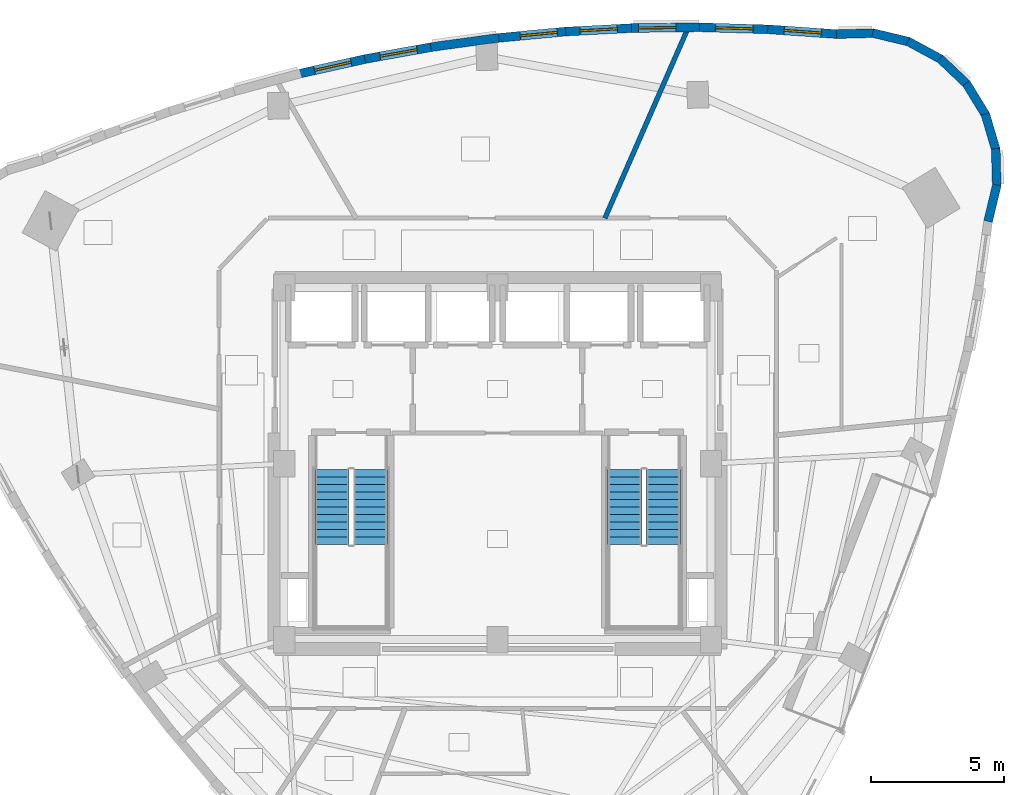
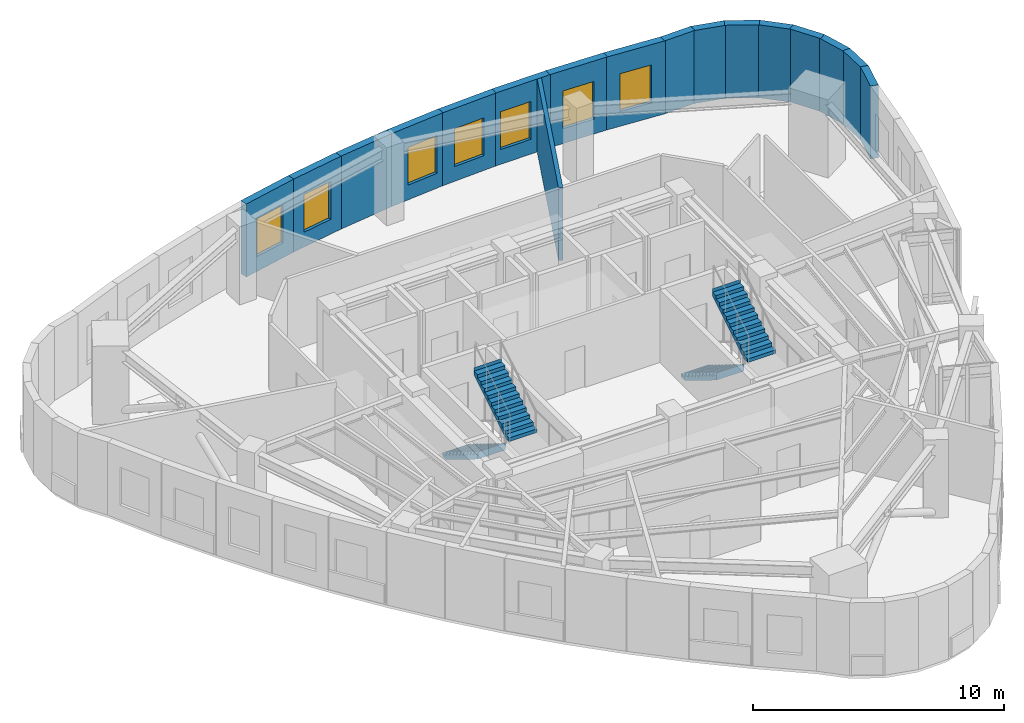
# One storey, part 7 of 10: 17 walls, 7 windows, 4 stair flights, 7 openings, 2 elements without a shape of their own.
"""IFC4 building model written with IfcOpenShell, lengths in metres."""

from ifc_helpers import new_model, si_unit, direction, frame, frame_2d, origin, place, context, subcontext, project, spatial, polyline, rectangle, outline, extrude, material, layer, layer_set, type_object, element, fill, aggregate, save


model = new_model("IFC4")

# Units and contexts
model_context = context("Model", 3, precision=1e-05, world=origin(), true_north=direction((0.0, 1.0)))
body_context = subcontext(model_context, "Body", "Model", "MODEL_VIEW")
ifc_project = project(units=[si_unit("LENGTHUNIT", "METRE"), si_unit("AREAUNIT", "SQUARE_METRE"), si_unit("VOLUMEUNIT", "CUBIC_METRE"), si_unit("PLANEANGLEUNIT", "RADIAN"), si_unit("MASSUNIT", "GRAM", prefix="KILO")], contexts=[model_context])

# Site, building, storey
site_placement = place(None, origin())
site = spatial("IfcSite", under=ifc_project, at=site_placement, CompositionType="ELEMENT")
building_placement = place(site_placement, origin())
building = spatial("IfcBuilding", under=site, at=building_placement, Name="Ndelora Gate Hotel", CompositionType="ELEMENT")
storey_placement = place(building_placement, frame((0.0, 0.0, 243.550048828125)))
storey = spatial("IfcBuildingStorey", under=building, at=storey_placement, Name="L61", CompositionType="ELEMENT", Elevation=243.550048828125)

# Walls
ifc_material_1 = material(Name="Acoustic Double-Stud Gypsum Assembly", Category="gypsum")
ifc_layer_1 = layer(ifc_material_1, 0.179931640625)
ifc_layer_set_1 = layer_set([ifc_layer_1], Name="Acoustic Double-Stud Gypsum Assembly")
wall_type_1 = type_object("IfcWallType", Name="WL-ACOUST-180", PredefinedType="PARTITIONING", material=ifc_layer_set_1)
wall_1_placement = place(storey_placement, frame((4.0234375, 9.199951171875, 0.0), z_axis=(0.0, 0.0, 1.0), x_axis=(0.400689260614, 0.916214012351, 0.0)))
element("IfcWall", 1, at=wall_1_placement, inside=storey, type_object=wall_type_1, Name="L61 Interior Wall IW-3", PredefinedType="PARTITIONING", context=body_context, shape_type="SweptSolid", body=[
    extrude(rectangle(XDim=7.808837890625, YDim=0.179931640625, at=frame_2d((3.904296875, 0.0))), origin(), (0.0, 0.0, 1.0), 3.550048828125),
])
ifc_material_2 = material(Name="Clay Brick Masonry", Category="masonry")
ifc_layer_2 = layer(ifc_material_2, 0.330078125)
ifc_layer_set_2 = layer_set([ifc_layer_2], Name="Clay Brick Masonry")
wall_type_2 = type_object("IfcWallType", Name="WL-BRICK-330", PredefinedType="SOLIDWALL", material=ifc_layer_set_2)
for number, where, z_axis, x_axis, name in (
    (2, (18.7216796875, 10.44873046875, 0.0), (0.0, 0.0, 1.0), (-0.233464793771, -0.972365255482, 0.0), "L61 Tower Brick Pier-and-Spandrel Wall TWR-39"),
    (3, (18.6796875, 11.806396484375, 0.0), (0.0, 0.0, 1.0), (0.02619264168, -0.999656913907, 0.0), "L61 Tower Brick Pier-and-Spandrel Wall TWR-40"),
):
    element("IfcWall", number, at=place(storey_placement, frame(where, z_axis=z_axis, x_axis=x_axis)), inside=storey, type_object=wall_type_2, Name=name, PredefinedType="SOLIDWALL", context=body_context, shape_type="SweptSolid", body=[
        extrude(rectangle(XDim=1.407470703125, YDim=0.330078125, at=frame_2d((0.70361328125, 0.0))), origin(), (0.0, 0.0, 1.0), 3.550048828125),
    ])
wall_2_placement = place(storey_placement, frame((18.28759765625, 13.10693359375, 0.0), z_axis=(0.0, 0.0, 1.0), x_axis=(0.284100140437, -0.958794613149, 0.0)))
element("IfcWall", 4, at=wall_2_placement, inside=storey, type_object=wall_type_2, Name="L61 Tower Brick Pier-and-Spandrel Wall TWR-41", PredefinedType="SOLIDWALL", context=body_context, shape_type="SweptSolid", body=[
    extrude(rectangle(XDim=1.40771484375, YDim=0.330078125, at=frame_2d((0.703857421875, 0.0))), origin(), (0.0, 0.0, 1.0), 3.550048828125),
])
wall_3_placement = place(storey_placement, frame((17.572509765625, 14.26171875, 0.0), z_axis=(0.0, 0.0, 1.0), x_axis=(0.522509174355, -0.852633662668, 0.0)))
element("IfcWall", 5, at=wall_3_placement, inside=storey, type_object=wall_type_2, Name="L61 Tower Brick Pier-and-Spandrel Wall TWR-42", PredefinedType="SOLIDWALL", context=body_context, shape_type="SweptSolid", body=[
    extrude(rectangle(XDim=1.4072265625, YDim=0.330078125, at=frame_2d((0.70361328125, 0.0))), origin(), (0.0, 0.0, 1.0), 3.550048828125),
])
for number, where, z_axis, x_axis, name in (
    (6, (16.582763671875, 15.192138671875, 0.0), (0.0, 0.0, 1.0), (0.725254907563, -0.688480442028, 0.0), "L61 Tower Brick Pier-and-Spandrel Wall TWR-43"),
    (7, (15.3857421875, 15.83447265625, 0.0), (0.0, 0.0, 1.0), (0.8789012206, -0.47700382014, 0.0), "L61 Tower Brick Pier-and-Spandrel Wall TWR-44"),
):
    element("IfcWall", number, at=place(storey_placement, frame(where, z_axis=z_axis, x_axis=x_axis)), inside=storey, type_object=wall_type_2, Name=name, PredefinedType="SOLIDWALL", context=body_context, shape_type="SweptSolid", body=[
        extrude(rectangle(XDim=1.407470703125, YDim=0.330078125, at=frame_2d((0.70361328125, 0.0))), origin(), (0.0, 0.0, 1.0), 3.550048828125),
    ])
wall_4_placement = place(storey_placement, frame((14.063720703125, 16.145263671875, 0.0), z_axis=(0.0, 0.0, 1.0), x_axis=(0.972395175274, -0.233340144647, 0.0)))
element("IfcWall", 8, at=wall_4_placement, inside=storey, type_object=wall_type_2, Name="L61 Tower Brick Pier-and-Spandrel Wall TWR-45", PredefinedType="SOLIDWALL", context=body_context, shape_type="SweptSolid", body=[
    extrude(rectangle(XDim=1.4072265625, YDim=0.330078125, at=frame_2d((0.70361328125, 0.0))), origin(), (0.0, 0.0, 1.0), 3.550048828125),
])
wall_5_placement = place(storey_placement, frame((12.705810546875, 16.103271484375, 0.0), z_axis=(0.0, 0.0, 1.0), x_axis=(0.999656913907, 0.02619264168, 0.0)))
element("IfcWall", 9, at=wall_5_placement, inside=storey, type_object=wall_type_2, Name="L61 Tower Brick Pier-and-Spandrel Wall TWR-46", PredefinedType="SOLIDWALL", context=body_context, shape_type="SweptSolid", body=[
    extrude(rectangle(XDim=1.407470703125, YDim=0.330078125, at=frame_2d((0.70361328125, 0.0))), origin(), (0.0, 0.0, 1.0), 3.550048828125),
])

# Wall, opening, window
wall_6_placement = place(storey_placement, frame((10.130615234375, 16.285400390625, 0.0), z_axis=(0.0, 0.0, 1.0), x_axis=(0.997576448788, -0.069578939514, 0.0)))
wall_6 = element("IfcWall", 10, at=wall_6_placement, inside=storey, type_object=wall_type_2, Name="L61 Tower Brick Pier-and-Spandrel Wall TWR-47", PredefinedType="SOLIDWALL", context=body_context, shape_type="SweptSolid", body=[
    extrude(rectangle(XDim=2.631591796875, YDim=0.330078125, at=frame_2d((1.31591796875, 0.0))), origin(), (0.0, 0.0, 1.0), 3.550048828125),
])
opening_1_placement = place(wall_6_placement, frame((0.61572265625, 0.0, 0.719970703125)))
opening_1 = element("IfcOpeningElement", 11, at=opening_1_placement, cuts=wall_6, Name="Opening W02", PredefinedType="OPENING", context=body_context, shape_type="SweptSolid", body=[
    extrude(rectangle(XDim=1.39990234375, YDim=1.840087890625, at=frame_2d((0.699951171875, 0.919921875))), frame((0.0, 0.175048828125, 0.0), z_axis=(0.0, -1.0, 0.0), x_axis=(1.0, 0.0, 0.0)), (0.0, 0.0, 1.0), 0.35009765625),
])
ifc_material_3 = material(Name="Insulated Low-E Double Glazing in Bronze Aluminium Frame", Category="aluminium")
window_type = type_object("IfcWindowType", Name="WN-DEEP-1400", PartitioningType="SINGLE_PANEL", PredefinedType="WINDOW", material=ifc_material_3)
window_1_placement = place(opening_1_placement, origin())
window_1 = element("IfcWindow", 12, at=window_1_placement, inside=storey, type_object=window_type, Name="L61 Deep-Set Brick-Pier Window W02", OverallHeight=1.840087890625, OverallWidth=1.39990234375, PartitioningType="SINGLE_PANEL", PredefinedType="WINDOW", context=body_context, shape_type="SweptSolid", body=[
    extrude(rectangle(XDim=1.39990234375, YDim=1.840087890625, at=frame_2d((0.699951171875, 0.919921875))), frame((0.0, 0.030029296875, 0.0), z_axis=(0.0, -1.0, 0.0), x_axis=(1.0, 0.0, 0.0)), (0.0, 0.0, 1.0), 0.06005859375),
])
fill(opening_1, window_1)

wall_7_placement = place(storey_placement, frame((7.571533203125, 16.360107421875, 0.0), z_axis=(0.0, 0.0, 1.0), x_axis=(0.999565811964, -0.029465022531, 0.0)))
wall_7 = element("IfcWall", 13, at=wall_7_placement, inside=storey, type_object=wall_type_2, Name="L61 Tower Brick Pier-and-Spandrel Wall TWR-48", PredefinedType="SOLIDWALL", context=body_context, shape_type="SweptSolid", body=[
    extrude(rectangle(XDim=2.610107421875, YDim=0.330078125, at=frame_2d((1.30517578125, 0.0))), origin(), (0.0, 0.0, 1.0), 3.550048828125),
])
opening_2_placement = place(wall_7_placement, frame((0.60498046875, 0.0, 0.719970703125)))
opening_2 = element("IfcOpeningElement", 14, at=opening_2_placement, cuts=wall_7, Name="Opening W02", PredefinedType="OPENING", context=body_context, shape_type="SweptSolid", body=[
    extrude(rectangle(XDim=1.39990234375, YDim=1.840087890625, at=frame_2d((0.699951171875, 0.919921875))), frame((0.0, 0.175048828125, 0.0), z_axis=(0.0, -1.0, 0.0), x_axis=(1.0, 0.0, 0.0)), (0.0, 0.0, 1.0), 0.35009765625),
])
window_2_placement = place(opening_2_placement, origin())
window_2 = element("IfcWindow", 15, at=window_2_placement, inside=storey, type_object=window_type, Name="L61 Deep-Set Brick-Pier Window W02", OverallHeight=1.840087890625, OverallWidth=1.39990234375, PartitioningType="SINGLE_PANEL", PredefinedType="WINDOW", context=body_context, shape_type="SweptSolid", body=[
    extrude(rectangle(XDim=1.39990234375, YDim=1.840087890625, at=frame_2d((0.699951171875, 0.919921875))), frame((0.0, 0.030029296875, 0.0), z_axis=(0.0, -1.0, 0.0), x_axis=(1.0, 0.0, 0.0)), (0.0, 0.0, 1.0), 0.06005859375),
])
fill(opening_2, window_2)

wall_8_placement = place(storey_placement, frame((5.029296875, 16.33056640625, 0.0), z_axis=(0.0, 0.0, 1.0), x_axis=(0.99993614345, 0.011300841704, 0.0)))
wall_8 = element("IfcWall", 16, at=wall_8_placement, inside=storey, type_object=wall_type_2, Name="L61 Tower Brick Pier-and-Spandrel Wall TWR-49", PredefinedType="SOLIDWALL", context=body_context, shape_type="SweptSolid", body=[
    extrude(rectangle(XDim=2.592529296875, YDim=0.330078125, at=frame_2d((1.29638671875, 0.0))), origin(), (0.0, 0.0, 1.0), 3.550048828125),
])
opening_3_placement = place(wall_8_placement, frame((0.260009765625, 0.0, 0.719970703125)))
opening_3 = element("IfcOpeningElement", 17, at=opening_3_placement, cuts=wall_8, Name="Opening W02", PredefinedType="OPENING", context=body_context, shape_type="SweptSolid", body=[
    extrude(rectangle(XDim=1.39990234375, YDim=1.840087890625, at=frame_2d((0.699951171875, 0.919921875))), frame((0.0, 0.175048828125, 0.0), z_axis=(0.0, -1.0, 0.0), x_axis=(1.0, 0.0, 0.0)), (0.0, 0.0, 1.0), 0.35009765625),
])
window_3_placement = place(opening_3_placement, origin())
window_3 = element("IfcWindow", 18, at=window_3_placement, inside=storey, type_object=window_type, Name="L61 Deep-Set Brick-Pier Window W02", OverallHeight=1.840087890625, OverallWidth=1.39990234375, PartitioningType="SINGLE_PANEL", PredefinedType="WINDOW", context=body_context, shape_type="SweptSolid", body=[
    extrude(rectangle(XDim=1.39990234375, YDim=1.840087890625, at=frame_2d((0.699951171875, 0.919921875))), frame((0.0, 0.030029296875, 0.0), z_axis=(0.0, -1.0, 0.0), x_axis=(1.0, 0.0, 0.0)), (0.0, 0.0, 1.0), 0.06005859375),
])
fill(opening_3, window_3)

wall_9_placement = place(storey_placement, frame((2.50341796875, 16.19677734375, 0.0), z_axis=(0.0, 0.0, 1.0), x_axis=(0.998619136425, 0.052533992485, 0.0)))
wall_9 = element("IfcWall", 19, at=wall_9_placement, inside=storey, type_object=wall_type_2, Name="L61 Tower Brick Pier-and-Spandrel Wall TWR-50", PredefinedType="SOLIDWALL", context=body_context, shape_type="SweptSolid", body=[
    extrude(rectangle(XDim=2.579345703125, YDim=0.330078125, at=frame_2d((1.28955078125, 0.0))), origin(), (0.0, 0.0, 1.0), 3.550048828125),
])
opening_4_placement = place(wall_9_placement, frame((0.589599609375, 0.0, 0.719970703125)))
opening_4 = element("IfcOpeningElement", 20, at=opening_4_placement, cuts=wall_9, Name="Opening W02", PredefinedType="OPENING", context=body_context, shape_type="SweptSolid", body=[
    extrude(rectangle(XDim=1.39990234375, YDim=1.840087890625, at=frame_2d((0.699951171875, 0.919921875))), frame((0.0, 0.175048828125, 0.0), z_axis=(0.0, -1.0, 0.0), x_axis=(1.0, 0.0, 0.0)), (0.0, 0.0, 1.0), 0.35009765625),
])
window_4_placement = place(opening_4_placement, origin())
window_4 = element("IfcWindow", 21, at=window_4_placement, inside=storey, type_object=window_type, Name="L61 Deep-Set Brick-Pier Window W02", OverallHeight=1.840087890625, OverallWidth=1.39990234375, PartitioningType="SINGLE_PANEL", PredefinedType="WINDOW", context=body_context, shape_type="SweptSolid", body=[
    extrude(rectangle(XDim=1.39990234375, YDim=1.840087890625, at=frame_2d((0.699951171875, 0.919921875))), frame((0.0, 0.030029296875, 0.0), z_axis=(0.0, -1.0, 0.0), x_axis=(1.0, 0.0, 0.0)), (0.0, 0.0, 1.0), 0.06005859375),
])
fill(opening_4, window_4)

wall_10_placement = place(storey_placement, frame((-0.005859375, 15.95849609375, 0.0), z_axis=(0.0, 0.0, 1.0), x_axis=(0.995560547184, 0.094123306836, 0.0)))
wall_10 = element("IfcWall", 22, at=wall_10_placement, inside=storey, type_object=wall_type_2, Name="L61 Tower Brick Pier-and-Spandrel Wall TWR-51", PredefinedType="SOLIDWALL", context=body_context, shape_type="SweptSolid", body=[
    extrude(rectangle(XDim=2.570556640625, YDim=0.330078125, at=frame_2d((1.28515625, 0.0))), origin(), (0.0, 0.0, 1.0), 3.550048828125),
])
opening_5_placement = place(wall_10_placement, frame((0.860107421875, 0.0, 0.719970703125)))
opening_5 = element("IfcOpeningElement", 23, at=opening_5_placement, cuts=wall_10, Name="Opening W02", PredefinedType="OPENING", context=body_context, shape_type="SweptSolid", body=[
    extrude(rectangle(XDim=1.39990234375, YDim=1.840087890625, at=frame_2d((0.699951171875, 0.919921875))), frame((0.0, 0.175048828125, 0.0), z_axis=(0.0, -1.0, 0.0), x_axis=(1.0, 0.0, 0.0)), (0.0, 0.0, 1.0), 0.35009765625),
])
window_5_placement = place(opening_5_placement, origin())
window_5 = element("IfcWindow", 24, at=window_5_placement, inside=storey, type_object=window_type, Name="L61 Deep-Set Brick-Pier Window W02", OverallHeight=1.840087890625, OverallWidth=1.39990234375, PartitioningType="SINGLE_PANEL", PredefinedType="WINDOW", context=body_context, shape_type="SweptSolid", body=[
    extrude(rectangle(XDim=1.39990234375, YDim=1.840087890625, at=frame_2d((0.699951171875, 0.919921875))), frame((0.0, 0.030029296875, 0.0), z_axis=(0.0, -1.0, 0.0), x_axis=(1.0, 0.0, 0.0)), (0.0, 0.0, 1.0), 0.06005859375),
])
fill(opening_5, window_5)

# Wall
wall_11_placement = place(storey_placement, frame((-2.498779296875, 15.615966796875, 0.0), z_axis=(0.0, 0.0, 1.0), x_axis=(0.990754753975, 0.135665093064, 0.0)))
element("IfcWall", 25, at=wall_11_placement, inside=storey, type_object=wall_type_2, Name="L61 Tower Brick Pier-and-Spandrel Wall TWR-52", PredefinedType="SOLIDWALL", context=body_context, shape_type="SweptSolid", body=[
    extrude(rectangle(XDim=2.566162109375, YDim=0.330078125, at=frame_2d((1.283203125, 0.0))), origin(), (0.0, 0.0, 1.0), 3.550048828125),
])

# Wall, opening, window
wall_12_placement = place(storey_placement, frame((-4.974853515625, 15.16943359375, 0.0), z_axis=(0.0, 0.0, 1.0), x_axis=(0.984201564883, 0.17705162999, 0.0)))
wall_12 = element("IfcWall", 26, at=wall_12_placement, inside=storey, type_object=wall_type_2, Name="L61 Tower Brick Pier-and-Spandrel Wall TWR-53", PredefinedType="SOLIDWALL", context=body_context, shape_type="SweptSolid", body=[
    extrude(rectangle(XDim=2.566162109375, YDim=0.330078125, at=frame_2d((1.283203125, 0.0))), origin(), (0.0, 0.0, 1.0), 3.550048828125),
])
opening_6_placement = place(wall_12_placement, frame((0.5830078125, 0.0, 0.719970703125)))
opening_6 = element("IfcOpeningElement", 27, at=opening_6_placement, cuts=wall_12, Name="Opening W02", PredefinedType="OPENING", context=body_context, shape_type="SweptSolid", body=[
    extrude(rectangle(XDim=1.39990234375, YDim=1.840087890625, at=frame_2d((0.699951171875, 0.919921875))), frame((0.0, 0.175048828125, 0.0), z_axis=(0.0, -1.0, 0.0), x_axis=(1.0, 0.0, 0.0)), (0.0, 0.0, 1.0), 0.35009765625),
])
window_6_placement = place(opening_6_placement, origin())
window_6 = element("IfcWindow", 28, at=window_6_placement, inside=storey, type_object=window_type, Name="L61 Deep-Set Brick-Pier Window W02", OverallHeight=1.840087890625, OverallWidth=1.39990234375, PartitioningType="SINGLE_PANEL", PredefinedType="WINDOW", context=body_context, shape_type="SweptSolid", body=[
    extrude(rectangle(XDim=1.39990234375, YDim=1.840087890625, at=frame_2d((0.699951171875, 0.919921875))), frame((0.0, 0.030029296875, 0.0), z_axis=(0.0, -1.0, 0.0), x_axis=(1.0, 0.0, 0.0)), (0.0, 0.0, 1.0), 0.06005859375),
])
fill(opening_6, window_6)

wall_13_placement = place(storey_placement, frame((-7.434326171875, 14.618408203125, 0.0), z_axis=(0.0, 0.0, 1.0), x_axis=(0.975911395469, 0.218167248213, 0.0)))
wall_13 = element("IfcWall", 29, at=wall_13_placement, inside=storey, type_object=wall_type_2, Name="L61 Tower Brick Pier-and-Spandrel Wall TWR-54", PredefinedType="SOLIDWALL", context=body_context, shape_type="SweptSolid", body=[
    extrude(rectangle(XDim=2.570556640625, YDim=0.330078125, at=frame_2d((1.28515625, 0.0))), origin(), (0.0, 0.0, 1.0), 3.550048828125),
])
opening_7_placement = place(wall_13_placement, frame((0.585205078125, 0.0, 0.719970703125)))
opening_7 = element("IfcOpeningElement", 30, at=opening_7_placement, cuts=wall_13, Name="Opening W02", PredefinedType="OPENING", context=body_context, shape_type="SweptSolid", body=[
    extrude(rectangle(XDim=1.39990234375, YDim=1.840087890625, at=frame_2d((0.699951171875, 0.919921875))), frame((0.0, 0.175048828125, 0.0), z_axis=(0.0, -1.0, 0.0), x_axis=(1.0, 0.0, 0.0)), (0.0, 0.0, 1.0), 0.35009765625),
])
window_7_placement = place(opening_7_placement, origin())
window_7 = element("IfcWindow", 31, at=window_7_placement, inside=storey, type_object=window_type, Name="L61 Deep-Set Brick-Pier Window W02", OverallHeight=1.840087890625, OverallWidth=1.39990234375, PartitioningType="SINGLE_PANEL", PredefinedType="WINDOW", context=body_context, shape_type="SweptSolid", body=[
    extrude(rectangle(XDim=1.39990234375, YDim=1.840087890625, at=frame_2d((0.699951171875, 0.919921875))), frame((0.0, 0.030029296875, 0.0), z_axis=(0.0, -1.0, 0.0), x_axis=(1.0, 0.0, 0.0)), (0.0, 0.0, 1.0), 0.06005859375),
])
fill(opening_7, window_7)

# Stair, stair flights
ifc_material_4 = material(Name="Precast concrete C40/50", Category="concrete")
stair_type = type_object("IfcStairType", Name="STR-DOG-CORE", PredefinedType="HALF_TURN_STAIR", material=ifc_material_4)
stair_1_placement = place(storey_placement, origin())
stair_1 = element("IfcStair", 32, at=stair_1_placement, inside=storey, type_object=stair_type, Name="L61 Protected Core Exit Stair ST4", PredefinedType="HALF_TURN_STAIR")
stair_flight_type = type_object("IfcStairFlightType", Name="STF-PRECAST", PredefinedType="STRAIGHT", material=ifc_material_4)
stair_flight_1_placement = place(storey_placement, frame((-6.2099609375, -0.22998046875, 0.0), z_axis=(0.0, 0.0, 1.0), x_axis=(0.0, -1.0, 0.0)))
stair_flight_1 = element("IfcStairFlight", 33, at=stair_flight_1_placement, type_object=stair_flight_type, Name="ST4 flight 1", NumberOfRisers=11, NumberOfTreads=10, PredefinedType="STRAIGHT", RiserHeight=0.172727273, TreadLength=0.28, context=body_context, shape_type="SweptSolid", body=[
    extrude(outline(polyline([(-0.00048828125, 0.0), (-0.00048828125, 0.172607421875), (0.0, 0.172607421875), (0.280029296875, 0.172607421875), (0.280029296875, 0.345458984375), (0.56005859375, 0.345458984375), (0.56005859375, 0.51806640625), (0.840087890625, 0.51806640625), (0.840087890625, 0.69091796875), (1.1201171875, 0.69091796875), (1.1201171875, 0.863525390625), (1.39990234375, 0.863525390625), (1.39990234375, 1.036376953125), (1.679931640625, 1.036376953125), (1.679931640625, 1.208984375), (1.9599609375, 1.208984375), (1.9599609375, 1.3818359375), (2.239990234375, 1.3818359375), (2.239990234375, 1.554443359375), (2.52001953125, 1.554443359375), (2.52001953125, 1.727294921875), (2.800048828125, 1.727294921875), (2.800048828125, 1.89990234375), (2.800537109375, 1.89990234375), (2.800537109375, 1.719970703125), (2.800048828125, 1.551025390625), (0.285400390625, 0.0), (-0.00048828125, 0.0)])), frame((0.0, 0.64013671875, 0.0), z_axis=(0.0, -1.0, 0.0), x_axis=(1.0, 0.0, 0.0)), (0.0, 0.0, 1.0), 1.280029296875),
])
stair_flight_2_placement = place(storey_placement, frame((-4.77001953125, -3.030029296875, 1.89990234375), z_axis=(0.0, 0.0, 1.0), x_axis=(0.0, 1.0, 0.0)))
stair_flight_2 = element("IfcStairFlight", 34, at=stair_flight_2_placement, type_object=stair_flight_type, Name="ST4 flight 2", NumberOfRisers=11, NumberOfTreads=10, PredefinedType="STRAIGHT", RiserHeight=0.172727273, TreadLength=0.28, context=body_context, shape_type="SweptSolid", body=[
    extrude(outline(polyline([(-0.00048828125, 0.0), (-0.00048828125, 0.172607421875), (0.0, 0.172607421875), (0.280029296875, 0.172607421875), (0.280029296875, 0.345458984375), (0.56005859375, 0.345458984375), (0.56005859375, 0.51806640625), (0.840087890625, 0.51806640625), (0.840087890625, 0.69091796875), (1.1201171875, 0.69091796875), (1.1201171875, 0.863525390625), (1.39990234375, 0.863525390625), (1.39990234375, 1.036376953125), (1.679931640625, 1.036376953125), (1.679931640625, 1.208984375), (1.9599609375, 1.208984375), (1.9599609375, 1.3818359375), (2.239990234375, 1.3818359375), (2.239990234375, 1.554443359375), (2.52001953125, 1.554443359375), (2.52001953125, 1.727294921875), (2.800048828125, 1.727294921875), (2.800048828125, 1.89990234375), (2.800537109375, 1.89990234375), (2.800537109375, 1.719970703125), (2.800048828125, 1.551025390625), (0.285400390625, 0.0), (-0.00048828125, 0.0)])), frame((0.0, 0.64013671875, 0.0), z_axis=(0.0, -1.0, 0.0), x_axis=(1.0, 0.0, 0.0)), (0.0, 0.0, 1.0), 1.280029296875),
])
aggregate(stair_1, [stair_flight_1, stair_flight_2])

stair_2_placement = place(storey_placement, origin())
stair_2 = element("IfcStair", 35, at=stair_2_placement, inside=storey, type_object=stair_type, Name="L61 Protected Core Exit Stair ST5", PredefinedType="HALF_TURN_STAIR")
stair_flight_3_placement = place(storey_placement, frame((4.77001953125, -0.22998046875, 0.0), z_axis=(0.0, 0.0, 1.0), x_axis=(0.0, -1.0, 0.0)))
stair_flight_3 = element("IfcStairFlight", 36, at=stair_flight_3_placement, type_object=stair_flight_type, Name="ST5 flight 1", NumberOfRisers=11, NumberOfTreads=10, PredefinedType="STRAIGHT", RiserHeight=0.172727273, TreadLength=0.28, context=body_context, shape_type="SweptSolid", body=[
    extrude(outline(polyline([(-0.00048828125, 0.0), (-0.00048828125, 0.172607421875), (0.0, 0.172607421875), (0.280029296875, 0.172607421875), (0.280029296875, 0.345458984375), (0.56005859375, 0.345458984375), (0.56005859375, 0.51806640625), (0.840087890625, 0.51806640625), (0.840087890625, 0.69091796875), (1.1201171875, 0.69091796875), (1.1201171875, 0.863525390625), (1.39990234375, 0.863525390625), (1.39990234375, 1.036376953125), (1.679931640625, 1.036376953125), (1.679931640625, 1.208984375), (1.9599609375, 1.208984375), (1.9599609375, 1.3818359375), (2.239990234375, 1.3818359375), (2.239990234375, 1.554443359375), (2.52001953125, 1.554443359375), (2.52001953125, 1.727294921875), (2.800048828125, 1.727294921875), (2.800048828125, 1.89990234375), (2.800537109375, 1.89990234375), (2.800537109375, 1.719970703125), (2.800048828125, 1.551025390625), (0.285400390625, 0.0), (-0.00048828125, 0.0)])), frame((0.0, 0.64013671875, 0.0), z_axis=(0.0, -1.0, 0.0), x_axis=(1.0, 0.0, 0.0)), (0.0, 0.0, 1.0), 1.280029296875),
])
stair_flight_4_placement = place(storey_placement, frame((6.2099609375, -3.030029296875, 1.89990234375), z_axis=(0.0, 0.0, 1.0), x_axis=(0.0, 1.0, 0.0)))
stair_flight_4 = element("IfcStairFlight", 37, at=stair_flight_4_placement, type_object=stair_flight_type, Name="ST5 flight 2", NumberOfRisers=11, NumberOfTreads=10, PredefinedType="STRAIGHT", RiserHeight=0.172727273, TreadLength=0.28, context=body_context, shape_type="SweptSolid", body=[
    extrude(outline(polyline([(-0.00048828125, 0.0), (-0.00048828125, 0.172607421875), (0.0, 0.172607421875), (0.280029296875, 0.172607421875), (0.280029296875, 0.345458984375), (0.56005859375, 0.345458984375), (0.56005859375, 0.51806640625), (0.840087890625, 0.51806640625), (0.840087890625, 0.69091796875), (1.1201171875, 0.69091796875), (1.1201171875, 0.863525390625), (1.39990234375, 0.863525390625), (1.39990234375, 1.036376953125), (1.679931640625, 1.036376953125), (1.679931640625, 1.208984375), (1.9599609375, 1.208984375), (1.9599609375, 1.3818359375), (2.239990234375, 1.3818359375), (2.239990234375, 1.554443359375), (2.52001953125, 1.554443359375), (2.52001953125, 1.727294921875), (2.800048828125, 1.727294921875), (2.800048828125, 1.89990234375), (2.800537109375, 1.89990234375), (2.800537109375, 1.719970703125), (2.800048828125, 1.551025390625), (0.285400390625, 0.0), (-0.00048828125, 0.0)])), frame((0.0, 0.64013671875, 0.0), z_axis=(0.0, -1.0, 0.0), x_axis=(1.0, 0.0, 0.0)), (0.0, 0.0, 1.0), 1.280029296875),
])
aggregate(stair_2, [stair_flight_3, stair_flight_4])

save(model, "model.ifc")
